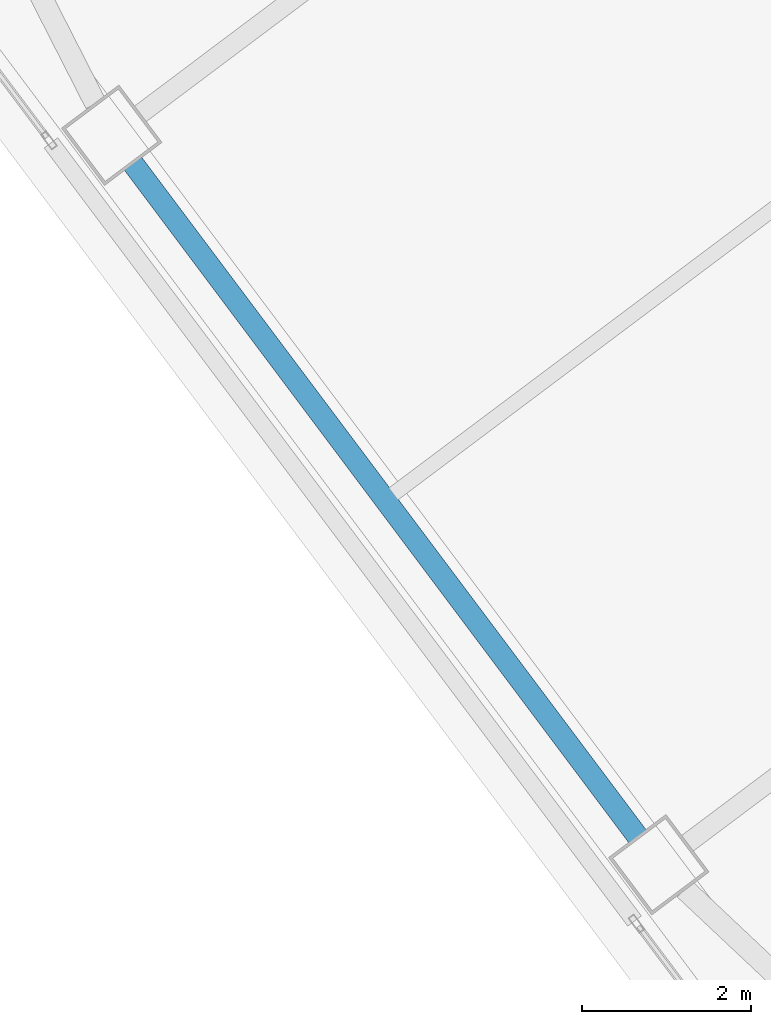
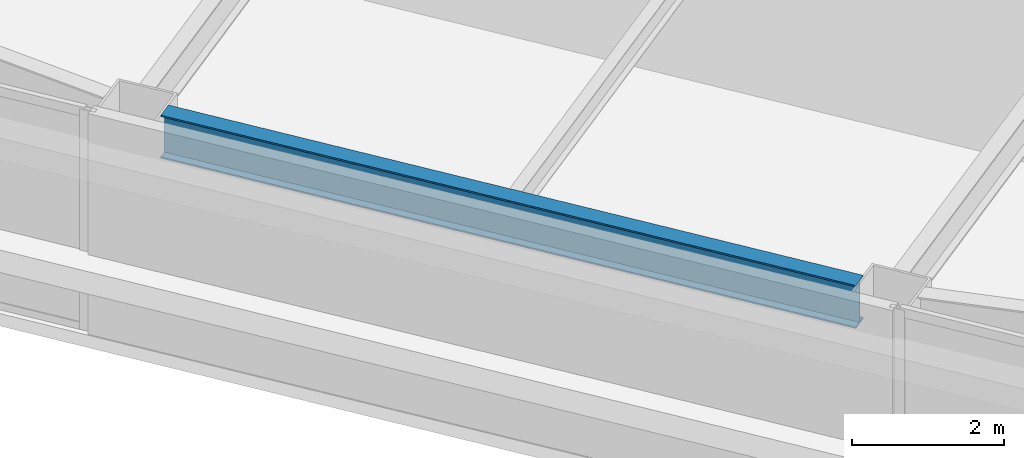
# One storey, part 16 of 44: 1 beam.
"""IFC4 building model written with IfcOpenShell, lengths in metres."""

from ifc_helpers import new_model, si_unit, direction, frame, origin, origin_2d, place, context, subcontext, project, spatial, i_section, extrude, material, material_profile, profile_set, type_object, element, save


model = new_model("IFC4")

# Units and contexts
model_context = context("Model", 3, precision=1e-05, world=origin(), true_north=direction((0.0, 1.0)))
body_context = subcontext(model_context, "Body", "Model", "MODEL_VIEW")
ifc_project = project(units=[si_unit("LENGTHUNIT", "METRE"), si_unit("AREAUNIT", "SQUARE_METRE"), si_unit("VOLUMEUNIT", "CUBIC_METRE"), si_unit("PLANEANGLEUNIT", "RADIAN"), si_unit("MASSUNIT", "GRAM", prefix="KILO")], contexts=[model_context])

# Site, building, storey
site_placement = place(None, origin())
site = spatial("IfcSite", under=ifc_project, at=site_placement, CompositionType="ELEMENT")
building_placement = place(site_placement, origin())
building = spatial("IfcBuilding", under=site, at=building_placement, Name="Tashvorn Skyway Center", CompositionType="ELEMENT")
storey_placement = place(building_placement, frame((0.0, 0.0, 102.699951171875)))
storey = spatial("IfcBuildingStorey", under=building, at=storey_placement, Name="L27", CompositionType="ELEMENT", Elevation=102.699951171875)

# Beam
ifc_material = material(Name="Steel ASTM A992 Grade 50", Category="steel")
ifc_material_profile = material_profile(ifc_material, i_section(OverallWidth=0.256103515625, OverallDepth=0.693115234375, WebThickness=0.014404296875, FlangeThickness=0.023681640625, at=origin_2d()), Name="W27X114")
ifc_profile_set = profile_set([ifc_material_profile], Name="Steel ASTM A992 Grade 50")
beam_type = type_object("IfcBeamType", Name="BM-SPANDREL-W27X114", PredefinedType="SPANDREL", material=ifc_profile_set)
beam_placement = place(storey_placement, frame((95.612060546875, 24.43408203125, 3.003662109375), z_axis=(0.599988234018, -0.800008824351, 0.0), x_axis=(0.800008824351, 0.599988234018, 0.0)))
element("IfcBeam", 1, at=beam_placement, inside=storey, type_object=beam_type, Name="Tower 2 L27 Spandrel Beam 11", PredefinedType="SPANDREL", context=body_context, shape_type="SweptSolid", body=[
    extrude(i_section(OverallWidth=0.256103515625, OverallDepth=0.693115234375, WebThickness=0.014404296875, FlangeThickness=0.023681640625, at=origin_2d()), origin(), (0.0, 0.0, 1.0), 9.9599609375),
])

save(model, "model.ifc")
